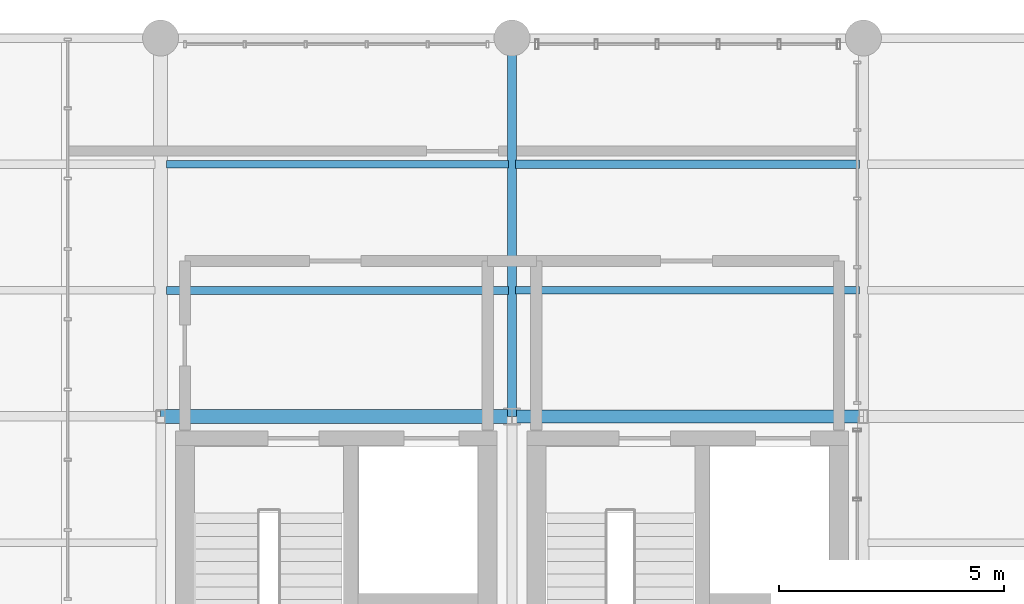
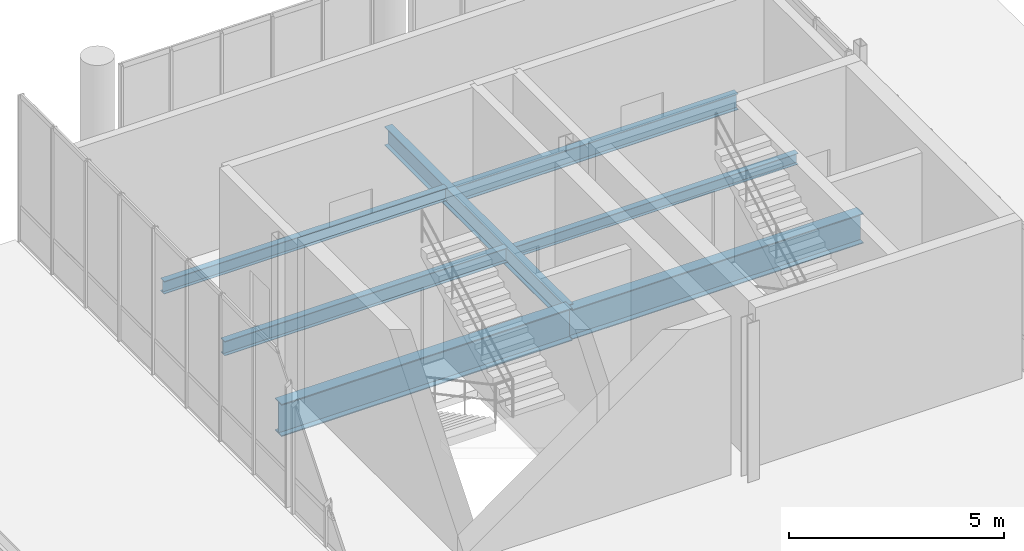
# One storey, part 45 of 68: 7 beams.
"""IFC4 building model written with IfcOpenShell, lengths in metres."""

from ifc_helpers import new_model, si_unit, direction, frame, origin_with_axes, origin_2d_with_axis, place, context, subcontext, project, spatial, i_section, extrude, material, material_profile, profile_set, type_object, element, save


model = new_model("IFC4")

# Units and contexts
model_context = context("Model", 3, precision=1e-05, world=origin_with_axes(), true_north=direction((0.0, 1.0)))
body_context = subcontext(model_context, "Body", "Model", "MODEL_VIEW")
ifc_project = project(units=[si_unit("LENGTHUNIT", "METRE"), si_unit("AREAUNIT", "SQUARE_METRE"), si_unit("VOLUMEUNIT", "CUBIC_METRE"), si_unit("PLANEANGLEUNIT", "RADIAN"), si_unit("MASSUNIT", "GRAM", prefix="KILO"), si_unit("THERMODYNAMICTEMPERATUREUNIT", "KELVIN")], contexts=[model_context])

# Site, building, storey
site_placement = place(None, origin_with_axes())
site = spatial("IfcSite", under=ifc_project, at=site_placement, CompositionType="ELEMENT")
building_placement = place(site_placement, origin_with_axes())
building = spatial("IfcBuilding", under=site, at=building_placement, Name="Montbau Bow Law Courts", CompositionType="ELEMENT")
storey_placement = place(building_placement, frame((0.0, 0.0, 20.4), z_axis=(0.0, 0.0, 1.0), x_axis=(1.0, 0.0, 0.0)))
storey = spatial("IfcBuildingStorey", under=building, at=storey_placement, Name="L04", CompositionType="ELEMENT", Elevation=20.4)

# Beams
ifc_material = material(Name="Steel CSA G40.21 Grade 350W (350 MPa)", Category="steel")
ifc_material_profile_1 = material_profile(ifc_material, i_section(OverallWidth=0.306, OverallDepth=0.919, WebThickness=0.0173, FlangeThickness=0.0279, at=origin_2d_with_axis()), Name="W920X253", Category="Main", Priority=0)
ifc_profile_set_1 = profile_set([ifc_material_profile_1], Name="Steel CSA G40.21 Grade 350W (350 MPa)")
beam_type_1 = type_object("IfcBeamType", Name="B-FLR-01", PredefinedType="BEAM", material=ifc_profile_set_1)
beam_1_placement = place(None, frame((147.0, 94.8, 19.741), z_axis=(1.0, 0.0, 0.0), x_axis=(0.0, 1.0, 0.0)))
element("IfcBeam", 1, at=beam_1_placement, inside=storey, type_object=beam_type_1, Name="BM-L04-S1258:bm2_1261", PredefinedType="BEAM", context=body_context, shape_type="SweptSolid", body=[
    extrude(i_section(OverallWidth=0.306, OverallDepth=0.919, WebThickness=0.0173, FlangeThickness=0.0279, at=origin_2d_with_axis()), origin_with_axes(), (0.0, 0.0, 1.0), 7.8),
])
ifc_material_profile_2 = material_profile(ifc_material, i_section(OverallWidth=0.293, OverallDepth=0.846, WebThickness=0.0154, FlangeThickness=0.0244, at=origin_2d_with_axis()), Name="W840X210", Category="Main", Priority=0)
ifc_profile_set_2 = profile_set([ifc_material_profile_2], Name="Steel CSA G40.21 Grade 350W (350 MPa)")
beam_type_2 = type_object("IfcBeamType", Name="B-FLR-02", PredefinedType="BEAM", material=ifc_profile_set_2)
beam_2_placement = place(None, frame((154.8, 94.8, 19.727), z_axis=(1.0, 0.0, 0.0), x_axis=(0.0, 1.0, 0.0)))
element("IfcBeam", 2, at=beam_2_placement, inside=storey, type_object=beam_type_2, Name="BM-L04-S1259:bm2_1262", PredefinedType="BEAM", context=body_context, shape_type="SweptSolid", body=[
    extrude(i_section(OverallWidth=0.293, OverallDepth=0.846, WebThickness=0.0154, FlangeThickness=0.0244, at=origin_2d_with_axis()), origin_with_axes(), (0.0, 0.0, 1.0), 7.8),
])
ifc_material_profile_3 = material_profile(ifc_material, i_section(OverallWidth=0.21, OverallDepth=0.537, WebThickness=0.0109, FlangeThickness=0.0174, at=origin_2d_with_axis()), Name="W530X101", Category="Main", Priority=0)
ifc_profile_set_3 = profile_set([ifc_material_profile_3], Name="Steel CSA G40.21 Grade 350W (350 MPa)")
beam_type_3 = type_object("IfcBeamType", Name="B-FLR-06", PredefinedType="BEAM", material=ifc_profile_set_3)
beam_3_placement = place(None, frame((154.8, 94.8, 19.931), z_axis=(0.0, 1.0, 0.0), x_axis=(-1.0, 0.0, 0.0)))
element("IfcBeam", 3, at=beam_3_placement, inside=storey, type_object=beam_type_3, Name="BM-L04-S1276:bm2_1279", PredefinedType="BEAM", context=body_context, shape_type="SweptSolid", body=[
    extrude(i_section(OverallWidth=0.21, OverallDepth=0.537, WebThickness=0.0109, FlangeThickness=0.0174, at=origin_2d_with_axis()), origin_with_axes(), (0.0, 0.0, 1.0), 8.4),
])
ifc_material_profile_4 = material_profile(ifc_material, i_section(OverallWidth=0.191, OverallDepth=0.46, WebThickness=0.0099, FlangeThickness=0.016, at=origin_2d_with_axis()), Name="W460X82", Category="Main", Priority=0)
ifc_profile_set_4 = profile_set([ifc_material_profile_4], Name="Steel CSA G40.21 Grade 350W (350 MPa)")
beam_type_4 = type_object("IfcBeamType", Name="B-JST-01", PredefinedType="JOIST", material=ifc_profile_set_4)
beam_4_placement = place(None, frame((154.881, 100.4, 19.92), z_axis=(1.0, 0.0, 0.0), x_axis=(0.0, 1.0, 0.0)))
element("IfcBeam", 4, at=beam_4_placement, inside=storey, type_object=beam_type_4, Name="JST-L04-S0684:jst2_0684", PredefinedType="JOIST", context=body_context, shape_type="SweptSolid", body=[
    extrude(i_section(OverallWidth=0.191, OverallDepth=0.46, WebThickness=0.0099, FlangeThickness=0.016, at=origin_2d_with_axis()), origin_with_axes(), (0.0, 0.0, 1.0), 7.629),
])
ifc_material_profile_5 = material_profile(ifc_material, i_section(OverallWidth=0.179, OverallDepth=0.41, WebThickness=0.0088, FlangeThickness=0.0144, at=origin_2d_with_axis()), Name="W410X67", Category="Main", Priority=0)
ifc_profile_set_5 = profile_set([ifc_material_profile_5], Name="Steel CSA G40.21 Grade 350W (350 MPa)")
beam_type_5 = type_object("IfcBeamType", Name="B-JST-02", PredefinedType="JOIST", material=ifc_profile_set_5)
beam_5_placement = place(None, frame((147.129, 97.6, 19.995), z_axis=(1.0, 0.0, 0.0), x_axis=(0.0, 1.0, 0.0)))
element("IfcBeam", 5, at=beam_5_placement, inside=storey, type_object=beam_type_5, Name="JST-L04-S0677:jst2_0677", PredefinedType="JOIST", context=body_context, shape_type="SweptSolid", body=[
    extrude(i_section(OverallWidth=0.179, OverallDepth=0.41, WebThickness=0.0088, FlangeThickness=0.0144, at=origin_2d_with_axis()), origin_with_axes(), (0.0, 0.0, 1.0), 7.59),
])
ifc_material_profile_6 = material_profile(ifc_material, i_section(OverallWidth=0.172, OverallDepth=0.358, WebThickness=0.0079, FlangeThickness=0.0131, at=origin_2d_with_axis()), Name="W360X57", Category="Main", Priority=0)
ifc_profile_set_6 = profile_set([ifc_material_profile_6], Name="Steel CSA G40.21 Grade 350W (350 MPa)")
beam_type_6 = type_object("IfcBeamType", Name="B-JST-03", PredefinedType="JOIST", material=ifc_profile_set_6)
beam_6_placement = place(None, frame((147.129, 100.4, 20.021), z_axis=(1.0, 0.0, 0.0), x_axis=(0.0, 1.0, 0.0)))
element("IfcBeam", 6, at=beam_6_placement, inside=storey, type_object=beam_type_6, Name="JST-L04-S0678:jst2_0678", PredefinedType="JOIST", context=body_context, shape_type="SweptSolid", body=[
    extrude(i_section(OverallWidth=0.172, OverallDepth=0.358, WebThickness=0.0079, FlangeThickness=0.0131, at=origin_2d_with_axis()), origin_with_axes(), (0.0, 0.0, 1.0), 7.59),
])
ifc_material_profile_7 = material_profile(ifc_material, i_section(OverallWidth=0.166, OverallDepth=0.313, WebThickness=0.0066, FlangeThickness=0.0112, at=origin_2d_with_axis()), Name="W310X45", Category="Main", Priority=0)
ifc_profile_set_7 = profile_set([ifc_material_profile_7], Name="Steel CSA G40.21 Grade 350W (350 MPa)")
beam_type_7 = type_object("IfcBeamType", Name="B-JST-04", PredefinedType="JOIST", material=ifc_profile_set_7)
beam_7_placement = place(None, frame((154.881, 97.6, 19.993), z_axis=(1.0, 0.0, 0.0), x_axis=(0.0, 1.0, 0.0)))
element("IfcBeam", 7, at=beam_7_placement, inside=storey, type_object=beam_type_7, Name="JST-L04-S0683:jst2_0683", PredefinedType="JOIST", context=body_context, shape_type="SweptSolid", body=[
    extrude(i_section(OverallWidth=0.166, OverallDepth=0.313, WebThickness=0.0066, FlangeThickness=0.0112, at=origin_2d_with_axis()), origin_with_axes(), (0.0, 0.0, 1.0), 7.629),
])

save(model, "model.ifc")
